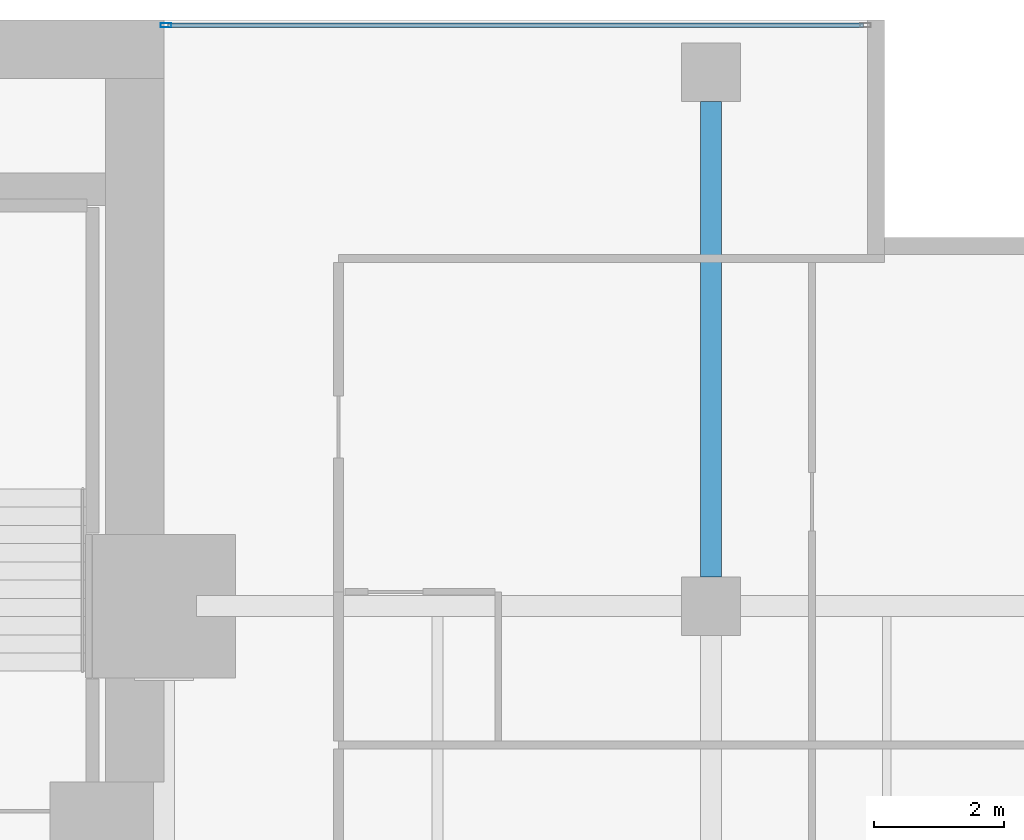
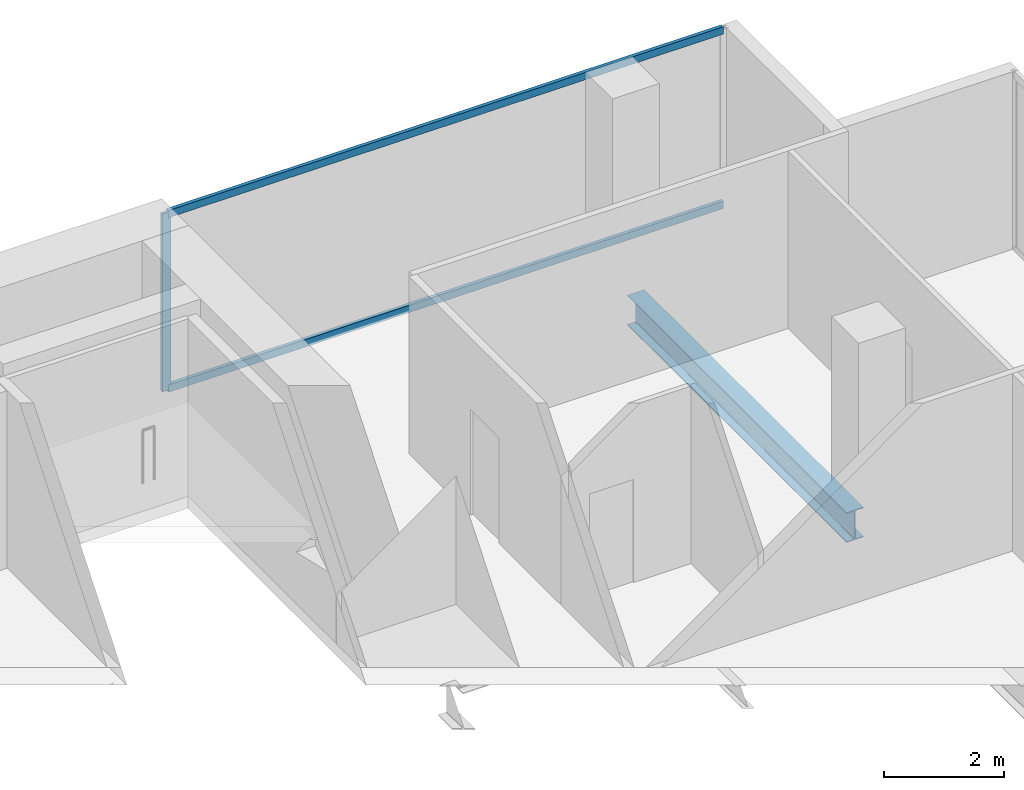
# One storey, part 30 of 40: 3 members, 1 beam, 1 element without a shape of its own.
"""IFC4 building model written with IfcOpenShell, lengths in metres."""

from ifc_helpers import new_model, si_unit, direction, frame, origin, origin_2d, place, context, subcontext, project, spatial, hollow_rectangle, i_section, extrude, material, layer, layer_set, material_profile, profile_set, type_object, element, aggregate, save


model = new_model("IFC4")

# Units and contexts
model_context = context("Model", 3, precision=1e-05, world=origin(), true_north=direction((0.0, 1.0)))
body_context = subcontext(model_context, "Body", "Model", "MODEL_VIEW")
ifc_project = project(units=[si_unit("LENGTHUNIT", "METRE"), si_unit("AREAUNIT", "SQUARE_METRE"), si_unit("VOLUMEUNIT", "CUBIC_METRE"), si_unit("PLANEANGLEUNIT", "RADIAN"), si_unit("MASSUNIT", "GRAM", prefix="KILO")], contexts=[model_context])

# Site, building, storey
site_placement = place(None, origin())
site = spatial("IfcSite", under=ifc_project, at=site_placement, CompositionType="ELEMENT")
building_placement = place(site_placement, origin())
building = spatial("IfcBuilding", under=site, at=building_placement, Name="Maruvema Waterfront Hotel and Observation Tower", CompositionType="ELEMENT")
storey_placement = place(building_placement, frame((0.0, 0.0, 100.10009765625)))
storey = spatial("IfcBuildingStorey", under=building, at=storey_placement, Name="L24", CompositionType="ELEMENT", Elevation=100.10009765625)

# Curtain wall, members
ifc_material_1 = material(Name="Anodised bronze aluminium and solar-control low-E IGU", Category="aluminium")
ifc_layer = layer(ifc_material_1, 0.159912109375, Name="Zone 1 Bronze Inner Thermal Curtain Wall System CW-02")
ifc_layer_set = layer_set([ifc_layer], Name="Anodised bronze aluminium and solar-control low-E IGU")
curtain_wall_type = type_object("IfcCurtainWallType", Name="Zone 1 Bronze Inner Thermal Curtain Wall System CW-02", PredefinedType="USERDEFINED", material=ifc_layer_set)
curtain_wall_placement = place(storey_placement, origin())
curtain_wall = element("IfcCurtainWall", 1, at=curtain_wall_placement, inside=storey, type_object=curtain_wall_type, Name="L24 Curtain Wall CW-L24-NE", ObjectType="UNITISED CURTAIN WALL", PredefinedType="USERDEFINED")
ifc_material_2 = material(Name="Anodised architectural bronze aluminium", Category="aluminium")
ifc_material_profile_1 = material_profile(ifc_material_2, hollow_rectangle(XDim=0.070068359375, YDim=0.14990234375, WallThickness=0.00390625, at=origin_2d()), Name="ALU-T70x150")
ifc_profile_set_1 = profile_set([ifc_material_profile_1], Name="Anodised architectural bronze aluminium")
member_type_1 = type_object("IfcMemberType", Name="Curtain Wall Horizontal Transom ALU-T70x150", PredefinedType="USERDEFINED", material=ifc_profile_set_1)
member_1_placement = place(storey_placement, frame((61.139892578125, 53.919921875, 0.02978515625), z_axis=(-1.0, 0.0, 0.0), x_axis=(0.0, -1.0, 0.0)))
member_1 = element("IfcMember", 2, at=member_1_placement, type_object=member_type_1, Name="CW-02 transom 1.1", ObjectType="TRANSOM", PredefinedType="USERDEFINED", context=body_context, shape_type="SweptSolid", body=[
    extrude(hollow_rectangle(XDim=0.070068359375, YDim=0.14990234375, WallThickness=0.00390625, at=origin_2d()), origin(), (0.0, 0.0, 1.0), 10.679931640625),
])
member_2_placement = place(storey_placement, frame((61.139892578125, 53.919921875, 3.579833984375), z_axis=(-1.0, 0.0, 0.0), x_axis=(0.0, -1.0, 0.0)))
member_2 = element("IfcMember", 3, at=member_2_placement, type_object=member_type_1, Name="CW-02 transom 1.2", ObjectType="TRANSOM", PredefinedType="USERDEFINED", context=body_context, shape_type="SweptSolid", body=[
    extrude(hollow_rectangle(XDim=0.070068359375, YDim=0.14990234375, WallThickness=0.00390625, at=origin_2d()), origin(), (0.0, 0.0, 1.0), 10.679931640625),
])
ifc_material_3 = material(Name="Anodised architectural bronze aluminium", Category="aluminium")
ifc_material_profile_2 = material_profile(ifc_material_3, hollow_rectangle(XDim=0.06494140625, YDim=0.1650390625, WallThickness=0.00390625, at=origin_2d()), Name="ALU-M65x165")
ifc_profile_set_2 = profile_set([ifc_material_profile_2], Name="Anodised architectural bronze aluminium")
member_type_2 = type_object("IfcMemberType", Name="Curtain Wall Primary Mullion ALU-M65x165", PredefinedType="MULLION", material=ifc_profile_set_2)
member_3_placement = place(storey_placement, frame((50.429931640625, 53.919921875, 0.0), z_axis=(0.0, 0.0, 1.0), x_axis=(0.0, -1.0, 0.0)))
member_3 = element("IfcMember", 4, at=member_3_placement, type_object=member_type_2, Name="CW-02 mullion 2", PredefinedType="MULLION", context=body_context, shape_type="SweptSolid", body=[
    extrude(hollow_rectangle(XDim=0.06494140625, YDim=0.1650390625, WallThickness=0.00390625, at=origin_2d()), origin(), (0.0, 0.0, 1.0), 3.60986328125),
])
aggregate(curtain_wall, [member_3, member_1, member_2])

# Beam
ifc_material_4 = material(Name="Steel ASTM A572 Grade 50", Category="steel")
ifc_material_profile_3 = material_profile(ifc_material_4, i_section(OverallWidth=0.323974609375, OverallDepth=0.611083984375, WebThickness=0.0126953125, FlangeThickness=0.01904296875, FilletRadius=0.01806640625, at=origin_2d()), Name="W610x155.0")
ifc_profile_set_3 = profile_set([ifc_material_profile_3], Name="Steel ASTM A572 Grade 50")
beam_type = type_object("IfcBeamType", Name="Primary Floor Girder W610x155.0", PredefinedType="BEAM", material=ifc_profile_set_3)
beam_placement = place(storey_placement, frame((58.800048828125, 45.449951171875, -0.545654296875), z_axis=(0.0, 1.0, 0.0), x_axis=(-1.0, 0.0, 0.0)))
element("IfcBeam", 5, at=beam_placement, inside=storey, type_object=beam_type, Name="L24 Floor Girder NS-32", PredefinedType="BEAM", context=body_context, shape_type="SweptSolid", body=[
    extrude(i_section(OverallWidth=0.323974609375, OverallDepth=0.611083984375, WebThickness=0.0126953125, FlangeThickness=0.01904296875, FilletRadius=0.01806640625, at=origin_2d()), origin(), (0.0, 0.0, 1.0), 7.300048828125),
])

save(model, "model.ifc")
